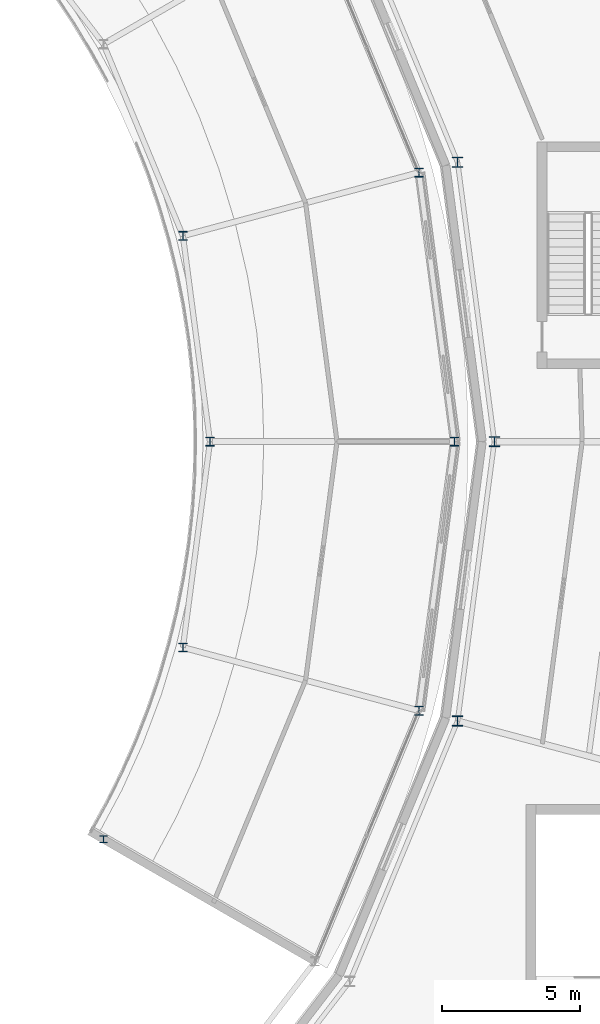
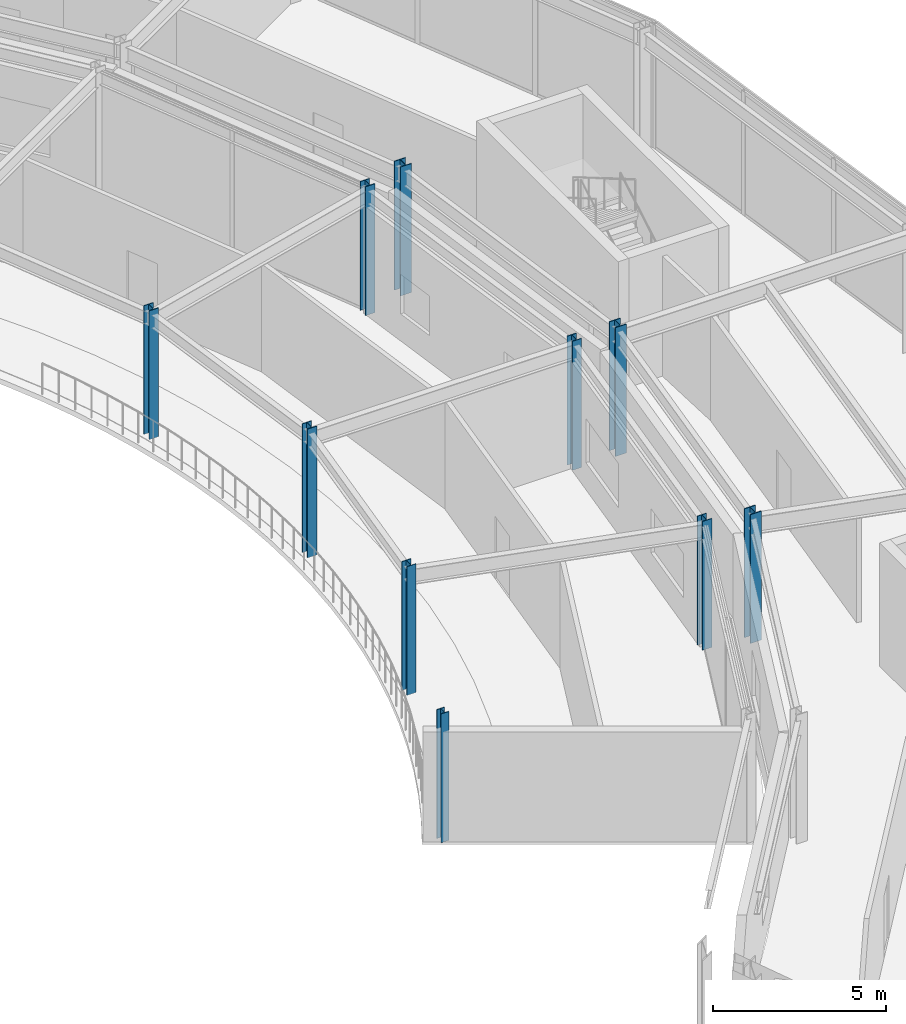
# One storey, part 9 of 157: 10 columns.
"""IFC4 building model written with IfcOpenShell, lengths in metres."""

from ifc_helpers import new_model, si_unit, direction, frame, origin, origin_2d, place, context, subcontext, project, spatial, i_section, extrude, material, material_profile, profile_set, type_object, element, save


model = new_model("IFC4")

# Units and contexts
model_context = context("Model", 3, precision=1e-05, world=origin(), true_north=direction((0.0, 1.0)))
body_context = subcontext(model_context, "Body", "Model", "MODEL_VIEW")
ifc_project = project(units=[si_unit("LENGTHUNIT", "METRE"), si_unit("AREAUNIT", "SQUARE_METRE"), si_unit("VOLUMEUNIT", "CUBIC_METRE"), si_unit("PLANEANGLEUNIT", "RADIAN"), si_unit("MASSUNIT", "GRAM", prefix="KILO")], contexts=[model_context])

# Site, building, storey
site_placement = place(None, origin())
site = spatial("IfcSite", under=ifc_project, at=site_placement, CompositionType="ELEMENT")
building_placement = place(site_placement, origin())
building = spatial("IfcBuilding", under=site, at=building_placement, Name="Almandine Court Research Institute", CompositionType="ELEMENT")
storey_placement = place(building_placement, frame((0.0, 0.0, 5.25)))
storey = spatial("IfcBuildingStorey", under=building, at=storey_placement, Name="L01", CompositionType="ELEMENT", Elevation=5.25)

# Columns
ifc_material = material(Name="Steel ASTM A992 Grade 50", Category="steel")
ifc_material_profile_1 = material_profile(ifc_material, i_section(OverallWidth=0.373046875, OverallDepth=0.367919921875, WebThickness=0.01708984375, FlangeThickness=0.027099609375, at=origin_2d()), Name="W360x179")
ifc_profile_set_1 = profile_set([ifc_material_profile_1], Name="Steel ASTM A992 Grade 50")
column_type_1 = type_object("IfcColumnType", Name="Col-C-W03-E", PredefinedType="COLUMN", material=ifc_profile_set_1)
for number, where, z_axis, x_axis, name in (
    (1, (126.10009765625, 56.0, 0.0), (0.0, 0.0, 1.0), (1.0, 0.0, 0.0), "L01 V5 Column V5-IN-S00"),
    (2, (124.76806640625, 66.1201171875, 0.0), (0.0, 0.0, 1.0), (1.0, 0.0, 0.0), "L01 V5 Column V5-IN-S01"),
    (3, (124.76806640625, 45.8798828125, 0.0), (0.0, 0.0, 1.0), (1.0, 0.0, 0.0), "L01 V5 Column V5-IN-S23"),
):
    element("IfcColumn", number, at=place(storey_placement, frame(where, z_axis=z_axis, x_axis=x_axis)), inside=storey, type_object=column_type_1, Name=name, PredefinedType="COLUMN", context=body_context, shape_type="SweptSolid", body=[
        extrude(i_section(OverallWidth=0.373046875, OverallDepth=0.367919921875, WebThickness=0.01708984375, FlangeThickness=0.027099609375, at=origin_2d()), origin(), (0.0, 0.0, 1.0), 4.550048828125),
    ])
ifc_material_profile_2 = material_profile(ifc_material, i_section(OverallWidth=0.31005859375, OverallDepth=0.326904296875, WebThickness=0.01611328125, FlangeThickness=0.02490234375, at=origin_2d()), Name="W310x158")
ifc_profile_set_2 = profile_set([ifc_material_profile_2], Name="Steel ASTM A992 Grade 50")
column_type_2 = type_object("IfcColumnType", Name="Col-C-W06", PredefinedType="COLUMN", material=ifc_profile_set_2)
for number, where, z_axis, x_axis, name in (
    (4, (124.64990234375, 56.0, 0.0), (0.0, 0.0, 1.0), (1.0, 0.0, 0.0), "L01 V2 Column V2-OUT-S00"),
    (5, (123.366943359375, 65.7451171875, 0.0), (0.0, 0.0, 1.0), (1.0, 0.0, 0.0), "L01 V2 Column V2-OUT-S01"),
    (6, (123.366943359375, 46.2548828125, 0.0), (0.0, 0.0, 1.0), (1.0, 0.0, 0.0), "L01 V2 Column V2-OUT-S23"),
    (7, (115.800048828125, 56.0, 0.0), (0.0, 0.0, 1.0), (1.0, 0.0, 0.0), "L01 V2 Column V2-MID-S00"),
    (8, (114.819091796875, 63.4541015625, 0.0), (0.0, 0.0, 1.0), (1.0, 0.0, 0.0), "L01 V2 Column V2-MID-S01"),
):
    element("IfcColumn", number, at=place(storey_placement, frame(where, z_axis=z_axis, x_axis=x_axis)), inside=storey, type_object=column_type_2, Name=name, PredefinedType="COLUMN", context=body_context, shape_type="SweptSolid", body=[
        extrude(i_section(OverallWidth=0.31005859375, OverallDepth=0.326904296875, WebThickness=0.01611328125, FlangeThickness=0.02490234375, at=origin_2d()), origin(), (0.0, 0.0, 1.0), 4.550048828125),
    ])
ifc_material_profile_3 = material_profile(ifc_material, i_section(OverallWidth=0.305908203125, OverallDepth=0.31103515625, WebThickness=0.010986328125, FlangeThickness=0.01708984375, at=origin_2d()), Name="W310x107")
ifc_profile_set_3 = profile_set([ifc_material_profile_3], Name="Steel ASTM A992 Grade 50")
column_type_3 = type_object("IfcColumnType", Name="Col-C-W08", PredefinedType="COLUMN", material=ifc_profile_set_3)
column_1_placement = place(storey_placement, frame((114.819091796875, 48.5458984375, 0.0), z_axis=(0.0, 0.0, 1.0), x_axis=(1.0, 0.0, 0.0)))
element("IfcColumn", 9, at=column_1_placement, inside=storey, type_object=column_type_3, Name="L01 V2 Column V2-MID-S23", PredefinedType="COLUMN", context=body_context, shape_type="SweptSolid", body=[
    extrude(i_section(OverallWidth=0.305908203125, OverallDepth=0.31103515625, WebThickness=0.010986328125, FlangeThickness=0.01708984375, at=origin_2d()), origin(), (0.0, 0.0, 1.0), 4.550048828125),
])
ifc_material_profile_4 = material_profile(ifc_material, i_section(OverallWidth=0.257080078125, OverallDepth=0.263916015625, WebThickness=0.011962890625, FlangeThickness=0.02001953125, at=origin_2d()), Name="W250x101")
ifc_profile_set_4 = profile_set([ifc_material_profile_4], Name="Steel ASTM A992 Grade 50")
column_type_4 = type_object("IfcColumnType", Name="Col-C-W09", PredefinedType="COLUMN", material=ifc_profile_set_4)
column_2_placement = place(storey_placement, frame((111.94189453125, 41.60009765625, 0.0), z_axis=(0.0, 0.0, 1.0), x_axis=(1.0, 0.0, 0.0)))
element("IfcColumn", 10, at=column_2_placement, inside=storey, type_object=column_type_4, Name="L01 V2 Column V2-MID-S22", PredefinedType="COLUMN", context=body_context, shape_type="SweptSolid", body=[
    extrude(i_section(OverallWidth=0.257080078125, OverallDepth=0.263916015625, WebThickness=0.011962890625, FlangeThickness=0.02001953125, at=origin_2d()), origin(), (0.0, 0.0, 1.0), 4.550048828125),
])

save(model, "model.ifc")
